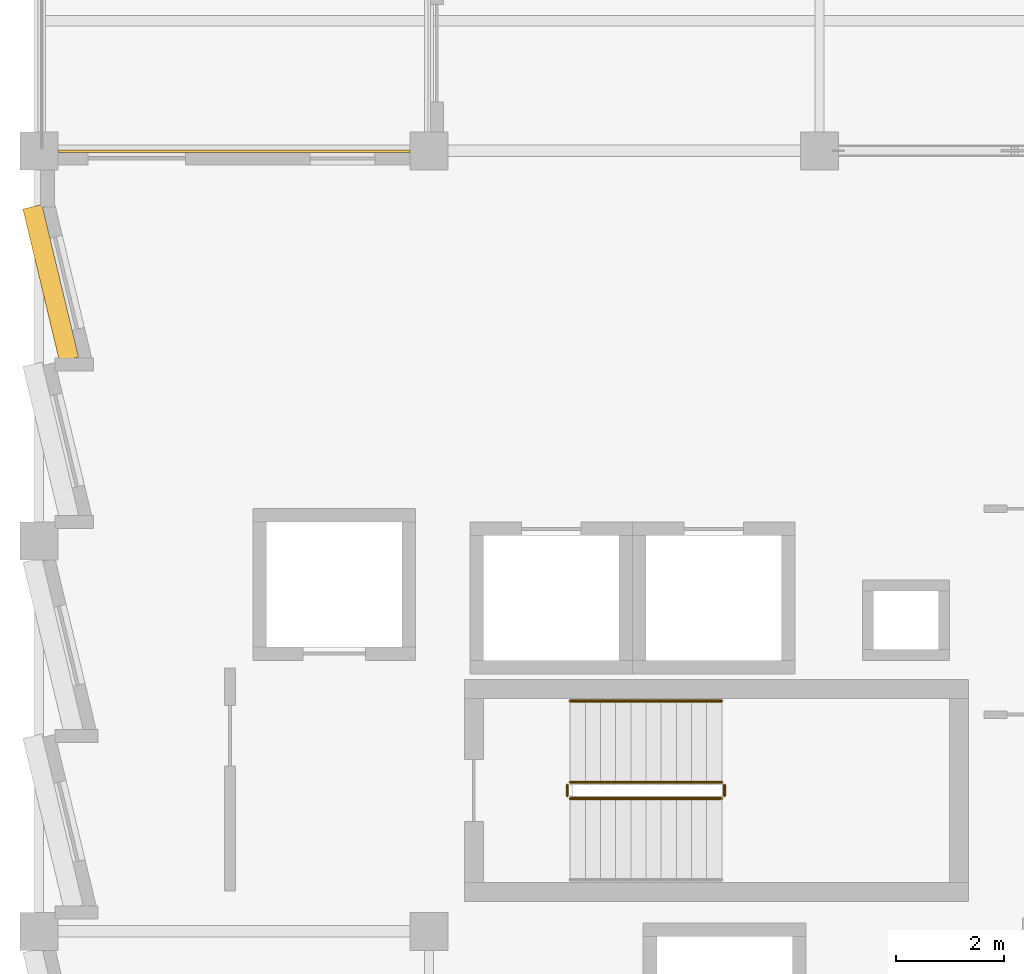
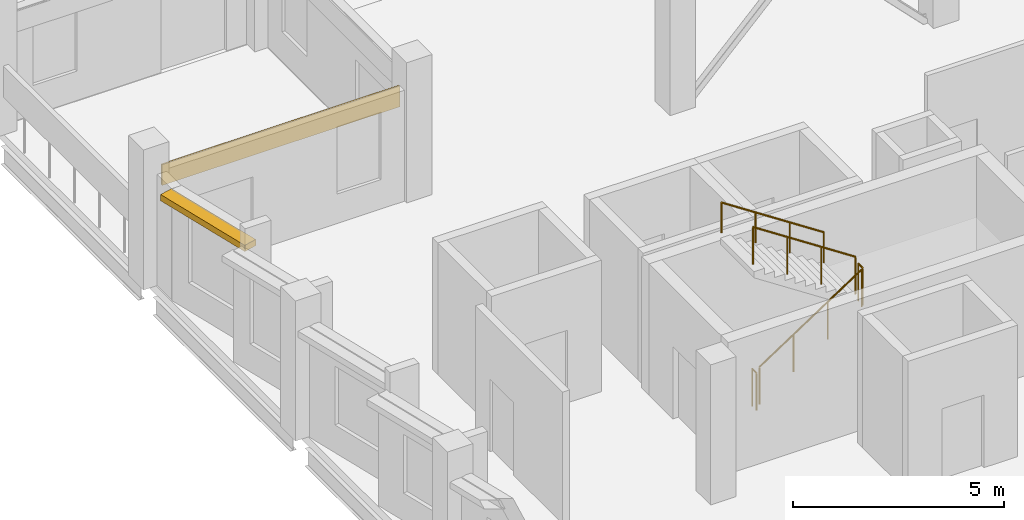
# One storey, part 30 of 33: 5 railings, 1 covering, 1 shading device.
"""IFC4 building model written with IfcOpenShell, lengths in metres."""

import ifcopenshell
import ifcopenshell.guid

model = None  # the IFC model being written
_history = None  # IfcOwnerHistory: only IFC2X3 demands one
_inside = {}  # id of a spatial element -> (the spatial element, [elements in it])
_under = {}  # id of a project, library or spatial element -> (it, [spatial elements below it])
_declared = {}  # id of a project -> (the project, [libraries it declares])
_typed = {}  # id of a type object -> (the type object, [elements of that type])
_made_of = {}  # id of a material, layer set ... -> (it, [elements and type objects made of it])


def new_model(schema):
    """Start an empty IFC model of exactly this schema.

    Asked for "IFC4X3", IfcOpenShell would pick the latest addendum, in which some entities
    have other attributes; the version numbers below select the first issue.
    IFC2X3 requires an IfcOwnerHistory on every rooted entity: one is made here for all.
    """
    global model, _history
    if schema == "IFC4X3":
        model = ifcopenshell.file(schema_version=(4, 3, 0, 0))
    else:
        model = ifcopenshell.file(schema=schema)
    _inside.clear()
    _under.clear()
    _declared.clear()
    _typed.clear()
    _made_of.clear()
    _history = None
    if model.schema == "IFC2X3":
        org = make("IfcOrganization", Name="unknown")
        user = make(
            "IfcPersonAndOrganization",
            ThePerson=make("IfcPerson", FamilyName="unknown"),
            TheOrganization=org,
        )
        app = make(
            "IfcApplication",
            ApplicationDeveloper=org,
            Version="unknown",
            ApplicationFullName="unknown",
            ApplicationIdentifier="unknown",
        )
        _history = make(
            "IfcOwnerHistory",
            OwningUser=user,
            OwningApplication=app,
            ChangeAction="ADDED",
            CreationDate=0,
        )
    return model


def make(cls, **values):
    """One entity of the class cls with the attributes given. An attribute that is None is left unset."""
    return model.create_entity(
        cls, **{name: value for name, value in values.items() if value is not None}
    )


def rooted(cls, **values):
    """An entity with a GlobalId (a new one), such as an element, a storey or a relation."""
    return make(cls, GlobalId=ifcopenshell.guid.new(), OwnerHistory=_history, **values)


def si_unit(unit_type, name, prefix=None):
    """IfcSIUnit, for example si_unit("LENGTHUNIT", "METRE", prefix="MILLI")."""
    return make("IfcSIUnit", UnitType=unit_type, Prefix=prefix, Name=name)


def assignment(units):
    """IfcUnitAssignment: the units of a project."""
    return None if units is None else make("IfcUnitAssignment", Units=units)


def point(xyz):
    """IfcCartesianPoint."""
    return None if xyz is None else make("IfcCartesianPoint", Coordinates=xyz)


def direction(xyz):
    """IfcDirection."""
    return None if xyz is None else make("IfcDirection", DirectionRatios=xyz)


def frame(location, z_axis=None, x_axis=None):
    """IfcAxis2Placement3D, a coordinate frame: its origin and axes. An axis left out is left unset."""
    return make(
        "IfcAxis2Placement3D",
        Location=point(location),
        Axis=direction(z_axis),
        RefDirection=direction(x_axis),
    )


def frame_2d(location, x_axis=None):
    """IfcAxis2Placement2D, a coordinate frame in the plane: its origin and x axis."""
    return make(
        "IfcAxis2Placement2D", Location=point(location), RefDirection=direction(x_axis)
    )


def origin():
    """The frame at (0, 0, 0) with its axes left unset."""
    return frame((0.0, 0.0, 0.0))


def origin_2d():
    """The frame at (0, 0) in the plane with its x axis left unset."""
    return frame_2d((0.0, 0.0))


def place(relative_to, where):
    """IfcLocalPlacement: puts the frame where relative to a parent placement (None: the world)."""
    return make(
        "IfcLocalPlacement", PlacementRelTo=relative_to, RelativePlacement=where
    )


def context(
    kind, dimensions, precision=None, world=None, true_north=None, identifier=None
):
    """IfcGeometricRepresentationContext, for example the 3D "Model" context."""
    return make(
        "IfcGeometricRepresentationContext",
        ContextIdentifier=identifier,
        ContextType=kind,
        CoordinateSpaceDimension=dimensions,
        Precision=precision,
        WorldCoordinateSystem=world,
        TrueNorth=true_north,
    )


def subcontext(parent, identifier, kind, view, scale=None):
    """IfcGeometricRepresentationSubContext, for example "Body" below "Model"."""
    return make(
        "IfcGeometricRepresentationSubContext",
        ContextIdentifier=identifier,
        ContextType=kind,
        ParentContext=parent,
        TargetScale=scale,
        TargetView=view,
    )


def project(units=None, contexts=None):
    """IfcProject with its units and contexts."""
    return rooted(
        "IfcProject",
        Name="project",
        RepresentationContexts=contexts,
        UnitsInContext=assignment(units),
    )


def spatial(cls, under=None, at=None, **own):
    """A site, building, storey or space (cls), placed at a placement, below another one or the project."""
    s = rooted(cls, ObjectPlacement=at, **own)
    if under is not None:
        _under.setdefault(under.id(), (under, []))[1].append(s)
    return s


def profile(cls, at=None, kind="AREA", **sizes):
    """A parametric profile (cls). Its sizes go by their IFC names, for example OverallWidth=200.0."""
    return make(cls, ProfileType=kind, Position=at, **sizes)


def rectangle(**sizes):
    """IfcRectangleProfileDef."""
    return profile("IfcRectangleProfileDef", **sizes)


def circle(**sizes):
    """IfcCircleProfileDef."""
    return profile("IfcCircleProfileDef", **sizes)


def extrude(swept, where, along, depth):
    """IfcExtrudedAreaSolid: the profile swept, set in the frame where, extruded along a direction by depth."""
    return make(
        "IfcExtrudedAreaSolid",
        SweptArea=swept,
        Position=where,
        ExtrudedDirection=direction(along),
        Depth=depth,
    )


def shape(context_of_items, identifier, shape_type, items):
    """IfcShapeRepresentation: the items that make up one representation, for example the "Body"."""
    return make(
        "IfcShapeRepresentation",
        ContextOfItems=context_of_items,
        RepresentationIdentifier=identifier,
        RepresentationType=shape_type,
        Items=items,
    )


def material(Name=None, Category=None):
    """IfcMaterial."""
    return make("IfcMaterial", Name=Name, Category=Category)


def layer(
    of_material, thickness, ventilated=None, Name=None, Category=None, Priority=None
):
    """IfcMaterialLayer: one layer of a wall or slab, of a material (None: an air gap)."""
    return make(
        "IfcMaterialLayer",
        Material=of_material,
        LayerThickness=thickness,
        IsVentilated=ventilated,
        Name=Name,
        Category=Category,
        Priority=Priority,
    )


def layer_set(layers, Name=None):
    """IfcMaterialLayerSet."""
    return make("IfcMaterialLayerSet", MaterialLayers=layers, LayerSetName=Name)


def made_of(thing, what):
    """Note that an element or type object is made of a material, layer set ...; save() writes the relation."""
    if what is not None:
        _made_of.setdefault(what.id(), (what, []))[1].append(thing)
    return thing


def type_object(cls, material=None, **own):
    """A type object (cls), such as IfcWallType, which elements share."""
    return made_of(rooted(cls, **own), material)


def element(
    cls,
    number,
    at=None,
    inside=None,
    cuts=None,
    type_object=None,
    material=None,
    context=None,
    identifier="Body",
    shape_type=None,
    held_by="IfcProductDefinitionShape",
    body=None,
    shapes=None,
    **own,
):
    """One element of the class cls, such as IfcWall. Its Tag is "e" and its number.

    at: its placement. inside: the storey or other place that contains it. cuts: it is an
    opening in that element (IfcRelVoidsElement). A single representation is given by context,
    identifier, shape_type and body (its items); several are given by shapes. held_by: the class
    of the entity that holds the representations. save() writes the other relations.
    """
    e = rooted(cls, Tag="e%d" % number, ObjectPlacement=at, **own)
    if body is not None:
        shapes = [shape(context, identifier, shape_type, body)]
    if shapes is not None:
        e.Representation = make(held_by, Representations=shapes)
    if inside is not None:
        _inside.setdefault(inside.id(), (inside, []))[1].append(e)
    if cuts is not None:
        rooted(
            "IfcRelVoidsElement", RelatingBuildingElement=cuts, RelatedOpeningElement=e
        )
    if type_object is not None:
        _typed.setdefault(type_object.id(), (type_object, []))[1].append(e)
    return made_of(e, material)


def aggregate(whole, parts):
    """IfcRelAggregates: a whole, such as a stair, and the parts it consists of."""
    return rooted("IfcRelAggregates", RelatingObject=whole, RelatedObjects=parts)


def save(model, path):
    """Write the relations noted so far, then the file.

    IfcRelAggregates (storeys below a building ...), IfcRelContainedInSpatialStructure (elements
    in a storey), IfcRelDefinesByType, IfcRelAssociatesMaterial and IfcRelDeclares: one each for
    every whole, place, type object, material and project.
    """
    for whole, parts in _under.values():
        aggregate(whole, parts)
    for where, things in _inside.values():
        rooted(
            "IfcRelContainedInSpatialStructure",
            RelatedElements=things,
            RelatingStructure=where,
        )
    for kind, things in _typed.values():
        rooted("IfcRelDefinesByType", RelatedObjects=things, RelatingType=kind)
    for what, things in _made_of.values():
        rooted("IfcRelAssociatesMaterial", RelatedObjects=things, RelatingMaterial=what)
    for by, libraries in _declared.values():
        rooted("IfcRelDeclares", RelatingContext=by, RelatedDefinitions=libraries)
    model.write(path)


model = new_model("IFC4")

# Units and contexts
model_context = context("Model", 3, precision=1e-05, world=origin(), true_north=direction((0.0, 1.0)))
body_context = subcontext(model_context, "Body", "Model", "MODEL_VIEW")
ifc_project = project(units=[si_unit("LENGTHUNIT", "METRE"), si_unit("AREAUNIT", "SQUARE_METRE"), si_unit("VOLUMEUNIT", "CUBIC_METRE"), si_unit("PLANEANGLEUNIT", "RADIAN"), si_unit("MASSUNIT", "GRAM", prefix="KILO")], contexts=[model_context])

# Site, building, storey
site_placement = place(None, origin())
site = spatial("IfcSite", under=ifc_project, at=site_placement, CompositionType="ELEMENT")
building_placement = place(site_placement, origin())
building = spatial("IfcBuilding", under=site, at=building_placement, Name="Kalmorath City Hall", CompositionType="ELEMENT")
storey_placement = place(building_placement, frame((0.0, 0.0, 22.949951171875)))
storey = spatial("IfcBuildingStorey", under=building, at=storey_placement, Name="L05", CompositionType="ELEMENT", Elevation=22.949951171875)

# Covering
ifc_material_1 = material(Name="Hardwood timber cladding", Category="wood")
ifc_layer_1 = layer(ifc_material_1, 0.044921875)
ifc_layer_set_1 = layer_set([ifc_layer_1], Name="Hardwood timber cladding")
covering_type = type_object("IfcCoveringType", Name="Hardwood recessed loggia wall cladding", PredefinedType="CLADDING", material=ifc_layer_set_1)
covering_placement = place(storey_placement, frame((3.60009765625, 28.794921875, 2.5859375), z_axis=(0.0, 0.0, 1.0), x_axis=(1.0, 0.0, 0.0)))
element("IfcCovering", 1, at=covering_placement, inside=storey, type_object=covering_type, Name="L05 timber loggia lining #85", PredefinedType="CLADDING", context=body_context, shape_type="SweptSolid", body=[
    extrude(rectangle(XDim=6.498046875, YDim=0.044921875, at=origin_2d()), origin(), (0.0, 0.0, 1.0), 0.60009765625),
])

# Shading device
ifc_material_2 = material(Name="Precast concrete C40/50", Category="concrete")
ifc_layer_2 = layer(ifc_material_2, 0.179931640625)
ifc_layer_set_2 = layer_set([ifc_layer_2], Name="Precast concrete C40/50")
shading_device_type = type_object("IfcShadingDeviceType", Name="Precast sawtooth brow sunshade 350", PredefinedType="USERDEFINED", material=ifc_layer_set_2)
shading_device_placement = place(storey_placement, frame((0.218017578125, 26.360595703125, 3.005859375), z_axis=(0.0, 0.0, 1.0), x_axis=(-0.233445363856, 0.972369920398, 0.0)))
element("IfcShadingDevice", 2, at=shading_device_placement, inside=storey, type_object=shading_device_type, Name="L05 precast sawtooth hood #448", ObjectType="SUNSHADE", PredefinedType="USERDEFINED", context=body_context, shape_type="SweptSolid", body=[
    extrude(rectangle(XDim=2.896728515625, YDim=0.360107421875, at=origin_2d()), origin(), (0.0, 0.0, 1.0), 0.179931640625),
])

# Railings
ifc_material_3 = material(Name="Painted steel guardrail", Category="steel")
railing_type_1 = type_object("IfcRailingType", Name="Protected stair guardrail 1100", PredefinedType="GUARDRAIL", material=ifc_material_3)
railing_1_placement = place(storey_placement, frame((9.800048828125, 16.85009765625, 0.18408203125)))
element("IfcRailing", 3, at=railing_1_placement, inside=storey, type_object=railing_type_1, Name="L05 ST-1 stair guard 1", PredefinedType="GUARDRAIL", context=body_context, shape_type="SweptSolid", body=[
    extrude(circle(Radius=0.02392578125, at=origin_2d()), frame((0.0, 0.0, 1.076171875), z_axis=(0.83556406348, 0.0, 0.549393024911), x_axis=(0.0, 1.0, 0.0)), (0.0, 0.0, 1.0), 3.35107421875),
    extrude(circle(Radius=0.02099609375, at=origin_2d()), origin(), (0.0, 0.0, 1.0), 1.052001953125),
    extrude(circle(Radius=0.02099609375, at=origin_2d()), frame((0.933349609375, 0.0, 0.61376953125)), (0.0, 0.0, 1.0), 1.052001953125),
    extrude(circle(Radius=0.02099609375, at=origin_2d()), frame((1.86669921875, 0.0, 1.227294921875)), (0.0, 0.0, 1.0), 1.052001953125),
    extrude(circle(Radius=0.02099609375, at=origin_2d()), frame((2.800048828125, 0.0, 1.841064453125)), (0.0, 0.0, 1.0), 1.052001953125),
])
railing_2_placement = place(storey_placement, frame((12.64990234375, 16.89990234375, 2.025146484375)))
element("IfcRailing", 4, at=railing_2_placement, inside=storey, type_object=railing_type_1, Name="L05 ST-1 stair guard 2", PredefinedType="GUARDRAIL", context=body_context, shape_type="SweptSolid", body=[
    extrude(circle(Radius=0.02392578125, at=origin_2d()), frame((0.0, 0.0, 1.076171875), z_axis=(0.0, 1.0, 0.0), x_axis=(-1.0, 0.0, 0.0)), (0.0, 0.0, 1.0), 0.2001953125),
    extrude(circle(Radius=0.02099609375, at=origin_2d()), origin(), (0.0, 0.0, 1.0), 1.052001953125),
    extrude(circle(Radius=0.02099609375, at=origin_2d()), frame((0.0, 0.2001953125, 0.0)), (0.0, 0.0, 1.0), 1.052001953125),
])
railing_3_placement = place(storey_placement, frame((12.60009765625, 17.14990234375, 2.209228515625)))
element("IfcRailing", 5, at=railing_3_placement, inside=storey, type_object=railing_type_1, Name="L05 ST-1 stair guard 3", PredefinedType="GUARDRAIL", context=body_context, shape_type="SweptSolid", body=[
    extrude(circle(Radius=0.02392578125, at=origin_2d()), frame((0.0, 0.0, 1.076171875), z_axis=(-0.835597507184, 0.0, 0.549342157483), x_axis=(0.0, -1.0, 0.0)), (0.0, 0.0, 1.0), 3.35107421875),
    extrude(circle(Radius=0.02099609375, at=origin_2d()), origin(), (0.0, 0.0, 1.0), 1.052001953125),
    extrude(circle(Radius=0.02099609375, at=origin_2d()), frame((-0.933349609375, 0.0, 0.613525390625)), (0.0, 0.0, 1.0), 1.052001953125),
    extrude(circle(Radius=0.02099609375, at=origin_2d()), frame((-1.86669921875, 0.0, 1.227294921875)), (0.0, 0.0, 1.0), 1.052001953125),
    extrude(circle(Radius=0.02099609375, at=origin_2d()), frame((-2.800048828125, 0.0, 1.8408203125)), (0.0, 0.0, 1.0), 1.052001953125),
])
railing_4_placement = place(storey_placement, frame((9.75, 16.89990234375, 0.0)))
element("IfcRailing", 6, at=railing_4_placement, inside=storey, type_object=railing_type_1, Name="L05 ST-1 stair guard 4", PredefinedType="GUARDRAIL", context=body_context, shape_type="SweptSolid", body=[
    extrude(circle(Radius=0.02392578125, at=origin_2d()), frame((0.0, 0.0, 1.076171875), z_axis=(0.0, 1.0, 0.0), x_axis=(-1.0, 0.0, 0.0)), (0.0, 0.0, 1.0), 0.2001953125),
    extrude(circle(Radius=0.02099609375, at=origin_2d()), origin(), (0.0, 0.0, 1.0), 1.052001953125),
    extrude(circle(Radius=0.02099609375, at=origin_2d()), frame((0.0, 0.2001953125, 0.0)), (0.0, 0.0, 1.0), 1.052001953125),
])
ifc_material_4 = material(Name="Brushed stainless steel handrail", Category="steel")
railing_type_2 = type_object("IfcRailingType", Name="Stair pitch handrail 900", PredefinedType="HANDRAIL", material=ifc_material_4)
railing_5_placement = place(storey_placement, frame((12.60009765625, 18.64990234375, 2.209228515625)))
element("IfcRailing", 7, at=railing_5_placement, inside=storey, type_object=railing_type_2, Name="L05 ST-1 stair handrail 2", PredefinedType="HANDRAIL", context=body_context, shape_type="SweptSolid", body=[
    extrude(circle(Radius=0.02392578125, at=origin_2d()), frame((0.0, 0.0, 0.8759765625), z_axis=(-0.835597507184, 0.0, 0.549342157483), x_axis=(0.0, -1.0, 0.0)), (0.0, 0.0, 1.0), 3.35107421875),
    extrude(circle(Radius=0.02099609375, at=origin_2d()), origin(), (0.0, 0.0, 1.0), 0.851806640625),
    extrude(circle(Radius=0.02099609375, at=origin_2d()), frame((-0.933349609375, 0.0, 0.613525390625)), (0.0, 0.0, 1.0), 0.851806640625),
    extrude(circle(Radius=0.02099609375, at=origin_2d()), frame((-1.86669921875, 0.0, 1.227294921875)), (0.0, 0.0, 1.0), 0.851806640625),
    extrude(circle(Radius=0.02099609375, at=origin_2d()), frame((-2.800048828125, 0.0, 1.8408203125)), (0.0, 0.0, 1.0), 0.851806640625),
])

save(model, "model.ifc")
